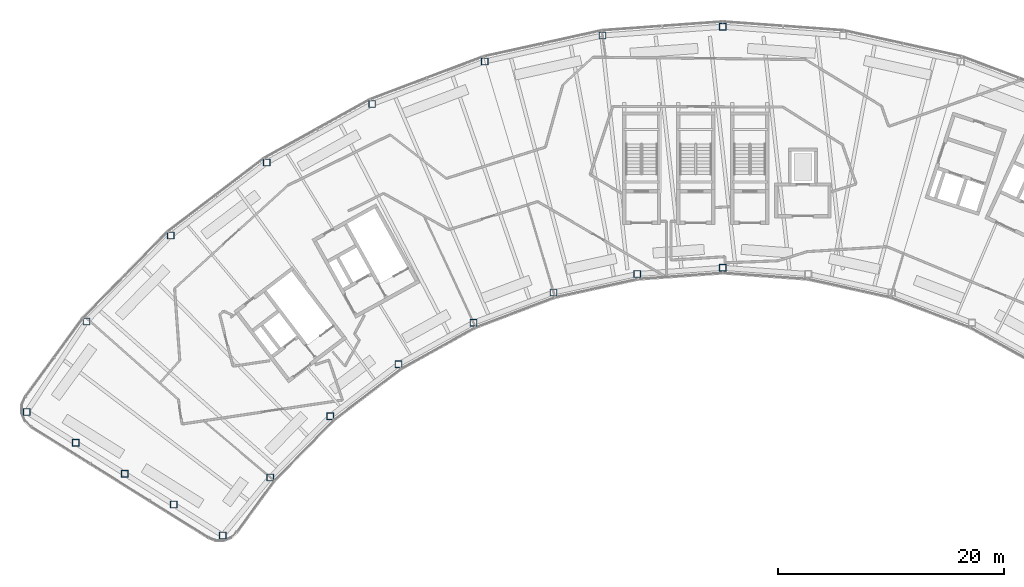
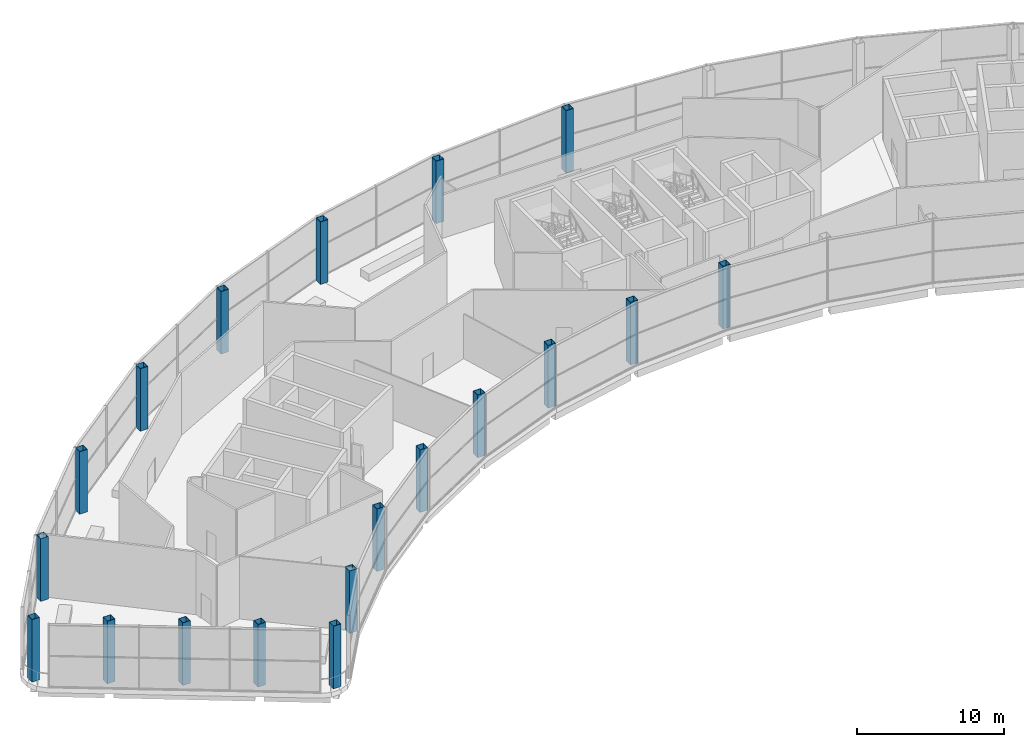
# One storey, part 1 of 44: 19 columns.
"""IFC4 building model written with IfcOpenShell, lengths in metres."""

from ifc_helpers import new_model, si_unit, direction, frame, origin, origin_2d, place, context, subcontext, project, spatial, hollow_rectangle, extrude, material, material_profile, profile_set, type_object, element, save


model = new_model("IFC4")

# Units and contexts
model_context = context("Model", 3, precision=1e-05, world=origin(), true_north=direction((0.0, 1.0)))
body_context = subcontext(model_context, "Body", "Model", "MODEL_VIEW")
ifc_project = project(units=[si_unit("LENGTHUNIT", "METRE"), si_unit("AREAUNIT", "SQUARE_METRE"), si_unit("VOLUMEUNIT", "CUBIC_METRE"), si_unit("PLANEANGLEUNIT", "RADIAN"), si_unit("MASSUNIT", "GRAM", prefix="KILO")], contexts=[model_context])

# Site, building, storey
site_placement = place(None, origin())
site = spatial("IfcSite", under=ifc_project, at=site_placement, CompositionType="ELEMENT")
building_placement = place(site_placement, origin())
building = spatial("IfcBuilding", under=site, at=building_placement, Name="Tuul Gate Civic Tower", CompositionType="ELEMENT")
storey_placement = place(building_placement, frame((0.0, 0.0, 354.60009765625)))
storey = spatial("IfcBuildingStorey", under=building, at=storey_placement, Name="Observation level 2", CompositionType="ELEMENT", Elevation=354.60009765625)

# Columns
ifc_material = material(Name="Steel S355", Category="steel")
ifc_material_profile = material_profile(ifc_material, hollow_rectangle(XDim=0.60009765625, YDim=0.60009765625, WallThickness=0.02490234375, at=origin_2d()), Name="BOX600x600x25")
ifc_profile_set = profile_set([ifc_material_profile], Name="Steel S355")
column_type = type_object("IfcColumnType", Name="STR-COLUMN-BOX600x600x25", PredefinedType="COLUMN", material=ifc_profile_set)
for number, where, z_axis, x_axis, name in (
    (1, (2.19189453125, 13.827880859375, 0.0), (0.0, 0.0, 1.0), (1.0, 0.0, 0.0), "Column"),
    (2, (-8.45703125, 13.055908203125, 0.0), (0.0, 0.0, 1.0), (1.0, 0.0, 0.0), "Column"),
    (3, (-18.885009765625, 10.758056640625, 0.0), (0.0, 0.0, 1.0), (1.0, 0.0, 0.0), "Column"),
    (4, (-28.8720703125, 6.98193359375, 0.0), (0.0, 0.0, 1.0), (1.0, 0.0, 0.0), "Column"),
    (5, (-38.2099609375, 1.804931640625, 0.0), (0.0, 0.0, 1.0), (1.0, 0.0, 0.0), "Column"),
    (6, (-46.7060546875, -4.6630859375, 0.0), (0.0, 0.0, 1.0), (1.0, 0.0, 0.0), "Column"),
    (7, (-54.179931640625, -12.2880859375, 0.0), (0.0, 0.0, 1.0), (1.0, 0.0, 0.0), "Column"),
    (8, (-59.47900390625, -20.300048828125, 0.0), (0.0, 0.0, 1.0), (1.0, 0.0, 0.0), "Column"),
    (9, (-55.135986328125, -23.034912109375, 0.0), (0.0, 0.0, 1.0), (1.0, 0.0, 0.0), "Column"),
    (10, (-50.7939453125, -25.77001953125, 0.0), (0.0, 0.0, 1.0), (1.0, 0.0, 0.0), "Column"),
    (11, (-46.450927734375, -28.50390625, 0.0), (0.0, 0.0, 1.0), (1.0, 0.0, 0.0), "Column"),
    (12, (-42.10888671875, -31.239013671875, 0.0), (0.0, 0.0, 1.0), (1.0, 0.0, 0.0), "Column"),
    (13, (-37.888916015625, -26.096923828125, 0.0), (0.0, 0.0, 1.0), (1.0, 0.0, 0.0), "Column"),
    (14, (-32.574951171875, -20.675048828125, 0.0), (0.0, 0.0, 1.0), (1.0, 0.0, 0.0), "Column"),
    (15, (-26.534912109375, -16.075927734375, 0.0), (0.0, 0.0, 1.0), (1.0, 0.0, 0.0), "Column"),
    (16, (-19.89501953125, -12.39599609375, 0.0), (0.0, 0.0, 1.0), (1.0, 0.0, 0.0), "Column"),
    (17, (-12.7939453125, -9.7099609375, 0.0), (0.0, 0.0, 1.0), (1.0, 0.0, 0.0), "Column"),
    (18, (-5.3798828125, -8.076904296875, 0.0), (0.0, 0.0, 1.0), (1.0, 0.0, 0.0), "Column"),
    (19, (2.19189453125, -7.528076171875, 0.0), (0.0, 0.0, 1.0), (1.0, 0.0, 0.0), "Column"),
):
    element("IfcColumn", number, at=place(storey_placement, frame(where, z_axis=z_axis, x_axis=x_axis)), inside=storey, type_object=column_type, Name=name, PredefinedType="COLUMN", context=body_context, shape_type="SweptSolid", body=[
        extrude(hollow_rectangle(XDim=0.60009765625, YDim=0.60009765625, WallThickness=0.02490234375, at=origin_2d()), origin(), (0.0, 0.0, 1.0), 5.199951171875),
    ])

save(model, "model.ifc")
